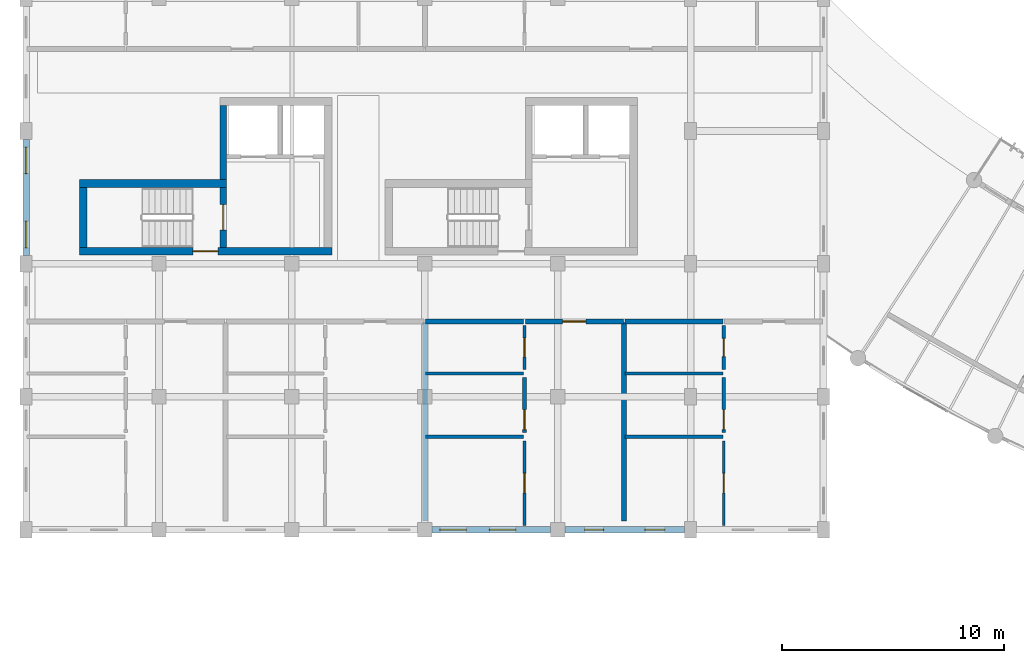
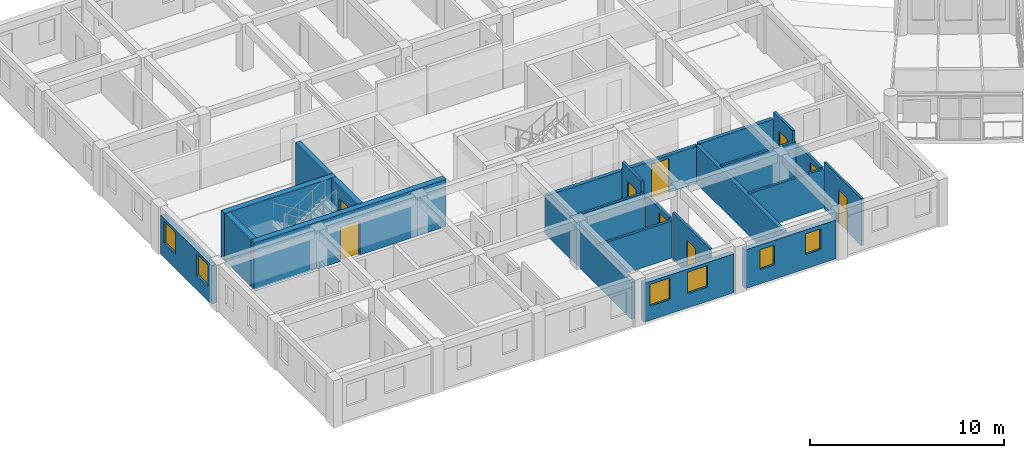
# One storey, part 75 of 123: 23 walls, 9 doors, 6 windows, 15 openings.
"""IFC4 building model written with IfcOpenShell, lengths in metres."""

from ifc_helpers import new_model, si_unit, direction, frame, frame_2d, origin, place, context, subcontext, project, spatial, rectangle, extrude, material, layer, layer_set, type_object, element, fill, save


model = new_model("IFC4")

# Units and contexts
model_context = context("Model", 3, precision=1e-05, world=origin(), true_north=direction((0.0, 1.0)))
body_context = subcontext(model_context, "Body", "Model", "MODEL_VIEW")
ifc_project = project(units=[si_unit("LENGTHUNIT", "METRE"), si_unit("AREAUNIT", "SQUARE_METRE"), si_unit("VOLUMEUNIT", "CUBIC_METRE"), si_unit("PLANEANGLEUNIT", "RADIAN"), si_unit("MASSUNIT", "GRAM", prefix="KILO"), si_unit("POWERUNIT", "WATT"), si_unit("THERMODYNAMICTEMPERATUREUNIT", "KELVIN")], contexts=[model_context])

# Site, building, storey
site_placement = place(None, origin())
site = spatial("IfcSite", under=ifc_project, at=site_placement, CompositionType="ELEMENT")
building_placement = place(site_placement, origin())
building = spatial("IfcBuilding", under=site, at=building_placement, Name="Ruvembo Vaulted Housing Court", CompositionType="ELEMENT")
storey_placement = place(building_placement, frame((0.0, 0.0, 7.699951171875)))
storey = spatial("IfcBuildingStorey", under=building, at=storey_placement, Name="L02", CompositionType="ELEMENT", Elevation=7.699951171875)

# Wall, opening, door
ifc_material_1 = material(Name="Concrete C35/45", Category="concrete")
ifc_layer_1 = layer(ifc_material_1, 0.300048828125, Name="Concrete C35/45")
ifc_layer_set_1 = layer_set([ifc_layer_1], Name="Concrete C35/45")
wall_type_1 = type_object("IfcWallType", Name="WL-CORE-300", PredefinedType="SHEAR", material=ifc_layer_set_1)
wall_1_placement = place(storey_placement, frame((8.89990234375, 18.75, 0.0), z_axis=(0.0, 0.0, 1.0), x_axis=(0.0, 1.0, 0.0)))
wall_1 = element("IfcWall", 1, at=wall_1_placement, inside=storey, type_object=wall_type_1, Name="Core A1 L02 Stair-Lobby Shear Wall", PredefinedType="SHEAR", context=body_context, shape_type="SweptSolid", body=[
    extrude(rectangle(XDim=2.699951171875, YDim=0.300048828125, at=frame_2d((1.35009765625, 0.0))), origin(), (0.0, 0.0, 1.0), 2.955078125),
])
opening_1_placement = place(wall_1_placement, frame((0.77490234375, 0.0, 0.0)))
opening_1 = element("IfcOpeningElement", 2, at=opening_1_placement, cuts=wall_1, Name="Opening SD1", PredefinedType="OPENING", context=body_context, shape_type="SweptSolid", body=[
    extrude(rectangle(XDim=1.14990234375, YDim=2.14990234375, at=frame_2d((0.574951171875, 1.074951171875))), frame((0.0, 0.159912109375, 0.0), z_axis=(0.0, -1.0, 0.0), x_axis=(1.0, 0.0, 0.0)), (0.0, 0.0, 1.0), 0.320068359375),
])
ifc_material_2 = material(Name="Galvanised Painted Steel", Category="steel")
door_type_1 = type_object("IfcDoorType", Name="DR-STAIR-1150x2150", OperationType="NOTDEFINED", PredefinedType="DOOR", material=ifc_material_2)
door_1_placement = place(opening_1_placement, origin())
door_1 = element("IfcDoor", 3, at=door_1_placement, inside=storey, type_object=door_type_1, Name="Stair ST-A1 L02 Fire Door", OperationType="SINGLE_SWING_LEFT", OverallHeight=2.14990234375, OverallWidth=1.14990234375, PredefinedType="DOOR", context=body_context, shape_type="SweptSolid", body=[
    extrude(rectangle(XDim=1.14990234375, YDim=2.14990234375, at=frame_2d((0.574951171875, 1.074951171875))), frame((0.0, 0.02490234375, 0.0), z_axis=(0.0, -1.0, 0.0), x_axis=(1.0, 0.0, 0.0)), (0.0, 0.0, 1.0), 0.050048828125),
])
fill(opening_1, door_1)

# Wall
wall_2_placement = place(storey_placement, frame((8.89990234375, 21.800048828125, 0.0), z_axis=(0.0, 0.0, 1.0), x_axis=(0.0, 1.0, 0.0)))
element("IfcWall", 4, at=wall_2_placement, inside=storey, type_object=wall_type_1, Name="Core A1 L02 Upper West Shear Wall", PredefinedType="SHEAR", context=body_context, shape_type="SweptSolid", body=[
    extrude(rectangle(XDim=3.349853515625, YDim=0.300048828125, at=frame_2d((1.6748046875, 0.0))), origin(), (0.0, 0.0, 1.0), 2.955078125),
])

# Wall, opening, door
ifc_layer_2 = layer(ifc_material_1, 0.35009765625, Name="Concrete C35/45")
ifc_layer_set_2 = layer_set([ifc_layer_2], Name="Concrete C35/45")
wall_type_2 = type_object("IfcWallType", Name="WL-CORE-350", PredefinedType="SHEAR", material=ifc_layer_set_2)
wall_3_placement = place(storey_placement, frame((2.39990234375, 18.574951171875, 0.0), z_axis=(0.0, 0.0, 1.0), x_axis=(1.0, 0.0, 0.0)))
wall_3 = element("IfcWall", 5, at=wall_3_placement, inside=storey, type_object=wall_type_2, Name="Core A1 L02 South Shear Wall", PredefinedType="SHEAR", context=body_context, shape_type="SweptSolid", body=[
    extrude(rectangle(XDim=11.400146484375, YDim=0.35009765625, at=frame_2d((5.7001953125, 0.0))), origin(), (0.0, 0.0, 1.0), 2.955078125),
])
opening_2_placement = place(wall_3_placement, frame((5.125, 0.0, 0.0)))
opening_2 = element("IfcOpeningElement", 6, at=opening_2_placement, cuts=wall_3, Name="Opening LD0", PredefinedType="OPENING", context=body_context, shape_type="SweptSolid", body=[
    extrude(rectangle(XDim=1.14990234375, YDim=2.14990234375, at=frame_2d((0.574951171875, 1.074951171875))), frame((0.0, 0.18505859375, 0.0), z_axis=(0.0, -1.0, 0.0), x_axis=(1.0, 0.0, 0.0)), (0.0, 0.0, 1.0), 0.3701171875),
])
door_type_2 = type_object("IfcDoorType", Name="DR-LOB-1150x2150", OperationType="NOTDEFINED", PredefinedType="DOOR", material=ifc_material_2)
door_2_placement = place(opening_2_placement, origin())
door_2 = element("IfcDoor", 7, at=door_2_placement, inside=storey, type_object=door_type_2, Name="Core A1 L02 Lobby Fire Door", OperationType="SINGLE_SWING_RIGHT", OverallHeight=2.14990234375, OverallWidth=1.14990234375, PredefinedType="DOOR", context=body_context, shape_type="SweptSolid", body=[
    extrude(rectangle(XDim=1.14990234375, YDim=2.14990234375, at=frame_2d((0.574951171875, 1.074951171875))), frame((0.0, 0.02490234375, 0.0), z_axis=(0.0, -1.0, 0.0), x_axis=(1.0, 0.0, 0.0)), (0.0, 0.0, 1.0), 0.050048828125),
])
fill(opening_2, door_2)

# Walls
wall_4_placement = place(storey_placement, frame((9.050048828125, 21.625, 0.0), z_axis=(0.0, 0.0, 1.0), x_axis=(-1.0, 0.0, 0.0)))
element("IfcWall", 8, at=wall_4_placement, inside=storey, type_object=wall_type_2, Name="Core A1 L02 Stair North Shear Wall", PredefinedType="SHEAR", context=body_context, shape_type="SweptSolid", body=[
    extrude(rectangle(XDim=6.650146484375, YDim=0.35009765625, at=frame_2d((3.3251953125, 0.0))), origin(), (0.0, 0.0, 1.0), 2.955078125),
])
wall_5_placement = place(storey_placement, frame((2.574951171875, 21.449951171875, 0.0), z_axis=(0.0, 0.0, 1.0), x_axis=(0.0, -1.0, 0.0)))
element("IfcWall", 9, at=wall_5_placement, inside=storey, type_object=wall_type_2, Name="Core A1 L02 Stair West Shear Wall", PredefinedType="SHEAR", context=body_context, shape_type="SweptSolid", body=[
    extrude(rectangle(XDim=2.699951171875, YDim=0.35009765625, at=frame_2d((1.35009765625, 0.0))), origin(), (0.0, 0.0, 1.0), 2.955078125),
])
ifc_material_3 = material(Name="Concrete Blockwork 210", Category="masonry")
ifc_layer_3 = layer(ifc_material_3, 0.2099609375, Name="Concrete Blockwork 210")
ifc_layer_set_3 = layer_set([ifc_layer_3], Name="Concrete Blockwork 210")
wall_type_3 = type_object("IfcWallType", Name="WL-CORR-210", PredefinedType="SOLIDWALL", material=ifc_layer_set_3)
wall_6_placement = place(storey_placement, frame((18.0400390625, 15.39990234375, 0.0), z_axis=(0.0, 0.0, 1.0), x_axis=(1.0, 0.0, 0.0)))
element("IfcWall", 10, at=wall_6_placement, inside=storey, type_object=wall_type_3, Name="L02 Flat A-L02-S3 Corridor Wall WL-INT-L02-00499", PredefinedType="SOLIDWALL", context=body_context, shape_type="SweptSolid", body=[
    extrude(rectangle(XDim=4.419921875, YDim=0.2099609375, at=frame_2d((2.2099609375, 0.0))), origin(), (0.0, 0.0, 1.0), 2.337158203125),
])

# Wall, opening, door
wall_7_placement = place(storey_placement, frame((22.5400390625, 15.39990234375, 0.0), z_axis=(0.0, 0.0, 1.0), x_axis=(1.0, 0.0, 0.0)))
wall_7 = element("IfcWall", 11, at=wall_7_placement, inside=storey, type_object=wall_type_3, Name="L02 Flat A-L02-S3 Entrance WL-INT-L02-00500", PredefinedType="SOLIDWALL", context=body_context, shape_type="SweptSolid", body=[
    extrude(rectangle(XDim=4.419921875, YDim=0.2099609375, at=frame_2d((2.2099609375, 0.0))), origin(), (0.0, 0.0, 1.0), 2.337158203125),
])
opening_3_placement = place(wall_7_placement, frame((1.68505859375, 0.0, 0.0)))
opening_3 = element("IfcOpeningElement", 12, at=opening_3_placement, cuts=wall_7, Name="Opening FD3", PredefinedType="OPENING", context=body_context, shape_type="SweptSolid", body=[
    extrude(rectangle(XDim=1.050048828125, YDim=2.14990234375, at=frame_2d((0.52490234375, 1.074951171875))), frame((0.0, 0.114990234375, 0.0), z_axis=(0.0, -1.0, 0.0), x_axis=(1.0, 0.0, 0.0)), (0.0, 0.0, 1.0), 0.22998046875),
])
ifc_material_4 = material(Name="FSC Hardwood and Engineered Timber", Category="wood")
door_type_3 = type_object("IfcDoorType", Name="DR-FLAT-1050x2150", OperationType="NOTDEFINED", PredefinedType="DOOR", material=ifc_material_4)
door_3_placement = place(opening_3_placement, origin())
door_3 = element("IfcDoor", 13, at=door_3_placement, inside=storey, type_object=door_type_3, Name="L02 Flat A-L02-S3 Entrance Door DR-INT-L02-00272", OperationType="SINGLE_SWING_RIGHT", OverallHeight=2.14990234375, OverallWidth=1.050048828125, PredefinedType="DOOR", context=body_context, shape_type="SweptSolid", body=[
    extrude(rectangle(XDim=1.050048828125, YDim=2.14990234375, at=frame_2d((0.52490234375, 1.074951171875))), frame((0.0, 0.02490234375, 0.0), z_axis=(0.0, -1.0, 0.0), x_axis=(1.0, 0.0, 0.0)), (0.0, 0.0, 1.0), 0.050048828125),
])
fill(opening_3, door_3)

# Walls
wall_8_placement = place(storey_placement, frame((27.0400390625, 15.39990234375, 0.0), z_axis=(0.0, 0.0, 1.0), x_axis=(1.0, 0.0, 0.0)))
element("IfcWall", 14, at=wall_8_placement, inside=storey, type_object=wall_type_3, Name="L02 Flat A-L02-S4 Corridor Wall WL-INT-L02-00506", PredefinedType="SOLIDWALL", context=body_context, shape_type="SweptSolid", body=[
    extrude(rectangle(XDim=4.419921875, YDim=0.2099609375, at=frame_2d((2.2099609375, 0.0))), origin(), (0.0, 0.0, 1.0), 2.43701171875),
])
ifc_material_5 = material(Name="Acoustic Masonry Demising 220", Category="masonry")
ifc_layer_4 = layer(ifc_material_5, 0.219970703125, Name="Acoustic Masonry Demising 220")
ifc_layer_set_4 = layer_set([ifc_layer_4], Name="Acoustic Masonry Demising 220")
wall_type_4 = type_object("IfcWallType", Name="WL-DEM-200", PredefinedType="SOLIDWALL", material=ifc_layer_set_4)
wall_9_placement = place(storey_placement, frame((18.0, 6.389892578125, 0.0), z_axis=(0.0, 0.0, 1.0), x_axis=(0.0, 1.0, 0.0)))
element("IfcWall", 15, at=wall_9_placement, inside=storey, type_object=wall_type_4, Name="L02 Demising A-L02-S2 WL-INT-L02-00490", PredefinedType="SOLIDWALL", context=body_context, shape_type="SweptSolid", body=[
    extrude(rectangle(XDim=8.97021484375, YDim=0.219970703125, at=frame_2d((4.485107421875, 0.0))), origin(), (0.0, 0.0, 1.0), 2.337158203125),
])
wall_10_placement = place(storey_placement, frame((27.0, 6.389892578125, 0.0), z_axis=(0.0, 0.0, 1.0), x_axis=(0.0, 1.0, 0.0)))
element("IfcWall", 16, at=wall_10_placement, inside=storey, type_object=wall_type_4, Name="L02 Demising A-L02-S3 WL-INT-L02-00498", PredefinedType="SOLIDWALL", context=body_context, shape_type="SweptSolid", body=[
    extrude(rectangle(XDim=8.97021484375, YDim=0.219970703125, at=frame_2d((4.485107421875, 0.0))), origin(), (0.0, 0.0, 1.0), 2.386962890625),
])

# Wall, openings, windows
ifc_material_6 = material(Name="Rendered Masonry 300", Category="masonry")
ifc_layer_5 = layer(ifc_material_6, 0.300048828125, Name="Rendered Masonry 300")
ifc_layer_set_5 = layer_set([ifc_layer_5], Name="Rendered Masonry 300")
wall_type_5 = type_object("IfcWallType", Name="WL-EXT-300", PredefinedType="STANDARD", material=ifc_layer_set_5)
wall_11_placement = place(storey_placement, frame((18.324951171875, 6.0, 0.0), z_axis=(0.0, 0.0, 1.0), x_axis=(1.0, 0.0, 0.0)))
wall_11 = element("IfcWall", 17, at=wall_11_placement, inside=storey, type_object=wall_type_5, Name="Block A L02 Exterior Wall STREET #4", PredefinedType="STANDARD", context=body_context, shape_type="SweptSolid", body=[
    extrude(rectangle(XDim=5.35009765625, YDim=0.300048828125, at=frame_2d((2.675048828125, 0.0))), origin(), (0.0, 0.0, 1.0), 2.43701171875),
])
opening_4_placement = place(wall_11_placement, frame((0.35009765625, 0.0, 0.89990234375)))
opening_4 = element("IfcOpeningElement", 18, at=opening_4_placement, cuts=wall_11, Name="Opening W12", PredefinedType="OPENING", context=body_context, shape_type="SweptSolid", body=[
    extrude(rectangle(XDim=1.199951171875, YDim=1.35009765625, at=frame_2d((0.60009765625, 0.675048828125))), frame((0.0, 0.159912109375, 0.0), z_axis=(0.0, -1.0, 0.0), x_axis=(1.0, 0.0, 0.0)), (0.0, 0.0, 1.0), 0.320068359375),
])
opening_5_placement = place(wall_11_placement, frame((2.5849609375, 0.0, 0.89990234375)))
opening_5 = element("IfcOpeningElement", 19, at=opening_5_placement, cuts=wall_11, Name="Opening W12", PredefinedType="OPENING", context=body_context, shape_type="SweptSolid", body=[
    extrude(rectangle(XDim=1.199951171875, YDim=1.35009765625, at=frame_2d((0.60009765625, 0.675048828125))), frame((0.0, 0.159912109375, 0.0), z_axis=(0.0, -1.0, 0.0), x_axis=(1.0, 0.0, 0.0)), (0.0, 0.0, 1.0), 0.320068359375),
])
ifc_material_7 = material(Name="Double Solar-Control Glazing in Aluminium Frame", Category="aluminium")
window_type_1 = type_object("IfcWindowType", Name="WIN-1200x1350", PartitioningType="SINGLE_PANEL", PredefinedType="WINDOW", material=ifc_material_7)
window_1_placement = place(opening_4_placement, origin())
window_1 = element("IfcWindow", 20, at=window_1_placement, inside=storey, type_object=window_type_1, Name="Block A L02 Window #89", OverallHeight=1.35009765625, OverallWidth=1.199951171875, PartitioningType="SINGLE_PANEL", PredefinedType="WINDOW", context=body_context, shape_type="SweptSolid", body=[
    extrude(rectangle(XDim=1.199951171875, YDim=1.35009765625, at=frame_2d((0.60009765625, 0.675048828125))), frame((0.0, 0.030029296875, 0.0), z_axis=(0.0, -1.0, 0.0), x_axis=(1.0, 0.0, 0.0)), (0.0, 0.0, 1.0), 0.06005859375),
])
fill(opening_4, window_1)
window_2_placement = place(opening_5_placement, origin())
window_2 = element("IfcWindow", 21, at=window_2_placement, inside=storey, type_object=window_type_1, Name="Block A L02 Window #90", OverallHeight=1.35009765625, OverallWidth=1.199951171875, PartitioningType="SINGLE_PANEL", PredefinedType="WINDOW", context=body_context, shape_type="SweptSolid", body=[
    extrude(rectangle(XDim=1.199951171875, YDim=1.35009765625, at=frame_2d((0.60009765625, 0.675048828125))), frame((0.0, 0.030029296875, 0.0), z_axis=(0.0, -1.0, 0.0), x_axis=(1.0, 0.0, 0.0)), (0.0, 0.0, 1.0), 0.06005859375),
])
fill(opening_5, window_2)

wall_12_placement = place(storey_placement, frame((24.324951171875, 6.0, 0.0), z_axis=(0.0, 0.0, 1.0), x_axis=(1.0, 0.0, 0.0)))
wall_12 = element("IfcWall", 22, at=wall_12_placement, inside=storey, type_object=wall_type_5, Name="Block A L02 Exterior Wall STREET #5", PredefinedType="STANDARD", context=body_context, shape_type="SweptSolid", body=[
    extrude(rectangle(XDim=5.400146484375, YDim=0.300048828125, at=frame_2d((2.7001953125, 0.0))), origin(), (0.0, 0.0, 1.0), 2.43701171875),
])
opening_6_placement = place(wall_12_placement, frame((0.892578125, 0.0, 0.89990234375)))
opening_6 = element("IfcOpeningElement", 23, at=opening_6_placement, cuts=wall_12, Name="Opening W03", PredefinedType="OPENING", context=body_context, shape_type="SweptSolid", body=[
    extrude(rectangle(XDim=0.85009765625, YDim=1.25, at=frame_2d((0.425048828125, 0.625))), frame((0.0, 0.159912109375, 0.0), z_axis=(0.0, -1.0, 0.0), x_axis=(1.0, 0.0, 0.0)), (0.0, 0.0, 1.0), 0.320068359375),
])
opening_7_placement = place(wall_12_placement, frame((3.607421875, 0.0, 0.89990234375)))
opening_7 = element("IfcOpeningElement", 24, at=opening_7_placement, cuts=wall_12, Name="Opening W04", PredefinedType="OPENING", context=body_context, shape_type="SweptSolid", body=[
    extrude(rectangle(XDim=0.89990234375, YDim=1.300048828125, at=frame_2d((0.449951171875, 0.64990234375))), frame((0.0, 0.159912109375, 0.0), z_axis=(0.0, -1.0, 0.0), x_axis=(1.0, 0.0, 0.0)), (0.0, 0.0, 1.0), 0.320068359375),
])
window_type_2 = type_object("IfcWindowType", Name="WIN-0850x1250", PartitioningType="SINGLE_PANEL", PredefinedType="WINDOW", material=ifc_material_7)
window_3_placement = place(opening_6_placement, origin())
window_3 = element("IfcWindow", 25, at=window_3_placement, inside=storey, type_object=window_type_2, Name="Block A L02 Window #91", OverallHeight=1.25, OverallWidth=0.85009765625, PartitioningType="SINGLE_PANEL", PredefinedType="WINDOW", context=body_context, shape_type="SweptSolid", body=[
    extrude(rectangle(XDim=0.85009765625, YDim=1.25, at=frame_2d((0.425048828125, 0.625))), frame((0.0, 0.030029296875, 0.0), z_axis=(0.0, -1.0, 0.0), x_axis=(1.0, 0.0, 0.0)), (0.0, 0.0, 1.0), 0.06005859375),
])
fill(opening_6, window_3)
window_type_3 = type_object("IfcWindowType", Name="WIN-0900x1300", PartitioningType="SINGLE_PANEL", PredefinedType="WINDOW", material=ifc_material_7)
window_4_placement = place(opening_7_placement, origin())
window_4 = element("IfcWindow", 26, at=window_4_placement, inside=storey, type_object=window_type_3, Name="Block A L02 Window #92", OverallHeight=1.300048828125, OverallWidth=0.89990234375, PartitioningType="SINGLE_PANEL", PredefinedType="WINDOW", context=body_context, shape_type="SweptSolid", body=[
    extrude(rectangle(XDim=0.89990234375, YDim=1.300048828125, at=frame_2d((0.449951171875, 0.64990234375))), frame((0.0, 0.030029296875, 0.0), z_axis=(0.0, -1.0, 0.0), x_axis=(1.0, 0.0, 0.0)), (0.0, 0.0, 1.0), 0.06005859375),
])
fill(opening_7, window_4)

wall_13_placement = place(storey_placement, frame((0.0, 23.625, 0.0), z_axis=(0.0, 0.0, 1.0), x_axis=(0.0, -1.0, 0.0)))
wall_13 = element("IfcWall", 27, at=wall_13_placement, inside=storey, type_object=wall_type_5, Name="Block A L02 Exterior Wall WEST #4", PredefinedType="STANDARD", context=body_context, shape_type="SweptSolid", body=[
    extrude(rectangle(XDim=5.25, YDim=0.300048828125, at=frame_2d((2.625, 0.0))), origin(), (0.0, 0.0, 1.0), 2.43701171875),
])
opening_8_placement = place(wall_13_placement, frame((0.35009765625, 0.0, 0.89990234375)))
opening_8 = element("IfcOpeningElement", 28, at=opening_8_placement, cuts=wall_13, Name="Opening W12", PredefinedType="OPENING", context=body_context, shape_type="SweptSolid", body=[
    extrude(rectangle(XDim=1.199951171875, YDim=1.35009765625, at=frame_2d((0.60009765625, 0.675048828125))), frame((0.0, 0.159912109375, 0.0), z_axis=(0.0, -1.0, 0.0), x_axis=(1.0, 0.0, 0.0)), (0.0, 0.0, 1.0), 0.320068359375),
])
opening_9_placement = place(wall_13_placement, frame((3.699951171875, 0.0, 0.89990234375)))
opening_9 = element("IfcOpeningElement", 29, at=opening_9_placement, cuts=wall_13, Name="Opening W12", PredefinedType="OPENING", context=body_context, shape_type="SweptSolid", body=[
    extrude(rectangle(XDim=1.199951171875, YDim=1.35009765625, at=frame_2d((0.60009765625, 0.675048828125))), frame((0.0, 0.159912109375, 0.0), z_axis=(0.0, -1.0, 0.0), x_axis=(1.0, 0.0, 0.0)), (0.0, 0.0, 1.0), 0.320068359375),
])
window_5_placement = place(opening_8_placement, origin())
window_5 = element("IfcWindow", 30, at=window_5_placement, inside=storey, type_object=window_type_1, Name="Block A L02 Window #119", OverallHeight=1.35009765625, OverallWidth=1.199951171875, PartitioningType="SINGLE_PANEL", PredefinedType="WINDOW", context=body_context, shape_type="SweptSolid", body=[
    extrude(rectangle(XDim=1.199951171875, YDim=1.35009765625, at=frame_2d((0.60009765625, 0.675048828125))), frame((0.0, 0.030029296875, 0.0), z_axis=(0.0, -1.0, 0.0), x_axis=(1.0, 0.0, 0.0)), (0.0, 0.0, 1.0), 0.06005859375),
])
fill(opening_8, window_5)
window_6_placement = place(opening_9_placement, origin())
window_6 = element("IfcWindow", 31, at=window_6_placement, inside=storey, type_object=window_type_1, Name="Block A L02 Window #120", OverallHeight=1.35009765625, OverallWidth=1.199951171875, PartitioningType="SINGLE_PANEL", PredefinedType="WINDOW", context=body_context, shape_type="SweptSolid", body=[
    extrude(rectangle(XDim=1.199951171875, YDim=1.35009765625, at=frame_2d((0.60009765625, 0.675048828125))), frame((0.0, 0.030029296875, 0.0), z_axis=(0.0, -1.0, 0.0), x_axis=(1.0, 0.0, 0.0)), (0.0, 0.0, 1.0), 0.06005859375),
])
fill(opening_9, window_6)

# Wall, opening, door
ifc_material_8 = material(Name="Plasterboard Stud Partition 125", Category="gypsum")
ifc_layer_6 = layer(ifc_material_8, 0.125, Name="Plasterboard Stud Partition 125")
ifc_layer_set_6 = layer_set([ifc_layer_6], Name="Plasterboard Stud Partition 125")
wall_type_6 = type_object("IfcWallType", Name="WL-PART-125", PredefinedType="PARTITIONING", material=ifc_layer_set_6)
wall_14_placement = place(storey_placement, frame((31.5, 6.18994140625, 0.0), z_axis=(0.0, 0.0, 1.0), x_axis=(0.0, 1.0, 0.0)))
wall_14 = element("IfcWall", 32, at=wall_14_placement, inside=storey, type_object=wall_type_6, Name="L02 Flat A-L02-S4 Bedroom 1 WL-INT-L02-00508", PredefinedType="PARTITIONING", context=body_context, shape_type="SweptSolid", body=[
    extrude(rectangle(XDim=3.820068359375, YDim=0.125, at=frame_2d((1.91015625, 0.0))), origin(), (0.0, 0.0, 1.0), 2.955078125),
])
opening_10_placement = place(wall_14_placement, frame((1.469970703125, 0.0, 0.0)))
opening_10 = element("IfcOpeningElement", 33, at=opening_10_placement, cuts=wall_14, Name="Opening ID3", PredefinedType="OPENING", context=body_context, shape_type="SweptSolid", body=[
    extrude(rectangle(XDim=0.8798828125, YDim=2.10009765625, at=frame_2d((0.43994140625, 1.050048828125))), frame((0.0, 0.072509765625, 0.0), z_axis=(0.0, -1.0, 0.0), x_axis=(1.0, 0.0, 0.0)), (0.0, 0.0, 1.0), 0.14501953125),
])
door_type_4 = type_object("IfcDoorType", Name="DR-ROOM-0880x2100", OperationType="NOTDEFINED", PredefinedType="DOOR", material=ifc_material_4)
door_4_placement = place(opening_10_placement, origin())
door_4 = element("IfcDoor", 34, at=door_4_placement, inside=storey, type_object=door_type_4, Name="L02 Flat A-L02-S4 Bedroom 1 Door DR-INT-L02-00277", OperationType="SINGLE_SWING_LEFT", OverallHeight=2.10009765625, OverallWidth=0.8798828125, PredefinedType="DOOR", context=body_context, shape_type="SweptSolid", body=[
    extrude(rectangle(XDim=0.8798828125, YDim=2.10009765625, at=frame_2d((0.43994140625, 1.050048828125))), frame((0.0, 0.02490234375, 0.0), z_axis=(0.0, -1.0, 0.0), x_axis=(1.0, 0.0, 0.0)), (0.0, 0.0, 1.0), 0.050048828125),
])
fill(opening_10, door_4)

ifc_material_9 = material(Name="Acoustic Stud Partition 135", Category="gypsum")
ifc_layer_7 = layer(ifc_material_9, 0.135009765625, Name="Acoustic Stud Partition 135")
ifc_layer_set_7 = layer_set([ifc_layer_7], Name="Acoustic Stud Partition 135")
wall_type_7 = type_object("IfcWallType", Name="WL-PART-135", PredefinedType="PARTITIONING", material=ifc_layer_set_7)
wall_15_placement = place(storey_placement, frame((22.5, 6.18994140625, 0.0), z_axis=(0.0, 0.0, 1.0), x_axis=(0.0, 1.0, 0.0)))
wall_15 = element("IfcWall", 35, at=wall_15_placement, inside=storey, type_object=wall_type_7, Name="L02 Flat A-L02-S3 Bedroom 1 WL-INT-L02-00501", PredefinedType="PARTITIONING", context=body_context, shape_type="SweptSolid", body=[
    extrude(rectangle(XDim=3.820068359375, YDim=0.135009765625, at=frame_2d((1.91015625, 0.0))), origin(), (0.0, 0.0, 1.0), 2.955078125),
])
opening_11_placement = place(wall_15_placement, frame((1.469970703125, 0.0, 0.0)))
opening_11 = element("IfcOpeningElement", 36, at=opening_11_placement, cuts=wall_15, Name="Opening ID3", PredefinedType="OPENING", context=body_context, shape_type="SweptSolid", body=[
    extrude(rectangle(XDim=0.8798828125, YDim=2.10009765625, at=frame_2d((0.43994140625, 1.050048828125))), frame((0.0, 0.077392578125, 0.0), z_axis=(0.0, -1.0, 0.0), x_axis=(1.0, 0.0, 0.0)), (0.0, 0.0, 1.0), 0.155029296875),
])
door_5_placement = place(opening_11_placement, origin())
door_5 = element("IfcDoor", 37, at=door_5_placement, inside=storey, type_object=door_type_4, Name="L02 Flat A-L02-S3 Bedroom 1 Door DR-INT-L02-00273", OperationType="SINGLE_SWING_LEFT", OverallHeight=2.10009765625, OverallWidth=0.8798828125, PredefinedType="DOOR", context=body_context, shape_type="SweptSolid", body=[
    extrude(rectangle(XDim=0.8798828125, YDim=2.10009765625, at=frame_2d((0.43994140625, 1.050048828125))), frame((0.0, 0.02490234375, 0.0), z_axis=(0.0, -1.0, 0.0), x_axis=(1.0, 0.0, 0.0)), (0.0, 0.0, 1.0), 0.050048828125),
])
fill(opening_11, door_5)

ifc_material_10 = material(Name="Moisture-Resistant Wet Partition 150", Category="gypsum")
ifc_layer_8 = layer(ifc_material_10, 0.14990234375, Name="Moisture-Resistant Wet Partition 150")
ifc_layer_set_8 = layer_set([ifc_layer_8], Name="Moisture-Resistant Wet Partition 150")
wall_type_8 = type_object("IfcWallType", Name="WL-PART-150", PredefinedType="PARTITIONING", material=ifc_layer_set_8)
wall_16_placement = place(storey_placement, frame((22.5, 13.239990234375, 0.0), z_axis=(0.0, 0.0, 1.0), x_axis=(0.0, 1.0, 0.0)))
wall_16 = element("IfcWall", 38, at=wall_16_placement, inside=storey, type_object=wall_type_8, Name="L02 Flat A-L02-S3 Bathroom WL-INT-L02-00503", PredefinedType="PARTITIONING", context=body_context, shape_type="SweptSolid", body=[
    extrude(rectangle(XDim=1.969970703125, YDim=0.14990234375, at=frame_2d((0.98486328125, 0.0))), origin(), (0.0, 0.0, 1.0), 2.955078125),
])
opening_12_placement = place(wall_16_placement, frame((0.56005859375, 0.0, 0.0)))
opening_12 = element("IfcOpeningElement", 39, at=opening_12_placement, cuts=wall_16, Name="Opening ID2", PredefinedType="OPENING", context=body_context, shape_type="SweptSolid", body=[
    extrude(rectangle(XDim=0.85009765625, YDim=2.10009765625, at=frame_2d((0.425048828125, 1.050048828125))), frame((0.0, 0.0849609375, 0.0), z_axis=(0.0, -1.0, 0.0), x_axis=(1.0, 0.0, 0.0)), (0.0, 0.0, 1.0), 0.169921875),
])
door_type_5 = type_object("IfcDoorType", Name="DR-WET-0850x2100", OperationType="NOTDEFINED", PredefinedType="DOOR", material=ifc_material_4)
door_6_placement = place(opening_12_placement, origin())
door_6 = element("IfcDoor", 40, at=door_6_placement, inside=storey, type_object=door_type_5, Name="L02 Flat A-L02-S3 Bathroom Door DR-INT-L02-00275", OperationType="SINGLE_SWING_LEFT", OverallHeight=2.10009765625, OverallWidth=0.85009765625, PredefinedType="DOOR", context=body_context, shape_type="SweptSolid", body=[
    extrude(rectangle(XDim=0.85009765625, YDim=2.10009765625, at=frame_2d((0.425048828125, 1.050048828125))), frame((0.0, 0.02490234375, 0.0), z_axis=(0.0, -1.0, 0.0), x_axis=(1.0, 0.0, 0.0)), (0.0, 0.0, 1.0), 0.050048828125),
])
fill(opening_12, door_6)

# Walls
for number, where, z_axis, x_axis, name in (
    (41, (18.0400390625, 10.199951171875, 0.0), (0.0, 0.0, 1.0), (1.0, 0.0, 0.0), "L02 Flat A-L02-S3 Wet Wall 1 WL-INT-L02-00504"),
    (42, (18.0400390625, 13.050048828125, 0.0), (0.0, 0.0, 1.0), (1.0, 0.0, 0.0), "L02 Flat A-L02-S3 Wet Wall 2 WL-INT-L02-00505"),
):
    element("IfcWall", number, at=place(storey_placement, frame(where, z_axis=z_axis, x_axis=x_axis)), inside=storey, type_object=wall_type_8, Name=name, PredefinedType="PARTITIONING", context=body_context, shape_type="SweptSolid", body=[
        extrude(rectangle(XDim=4.419921875, YDim=0.14990234375, at=frame_2d((2.2099609375, 0.0))), origin(), (0.0, 0.0, 1.0), 2.337158203125),
    ])

# Wall, opening, door
wall_17_placement = place(storey_placement, frame((31.5, 13.239990234375, 0.0), z_axis=(0.0, 0.0, 1.0), x_axis=(0.0, 1.0, 0.0)))
wall_17 = element("IfcWall", 43, at=wall_17_placement, inside=storey, type_object=wall_type_8, Name="L02 Flat A-L02-S4 Bathroom WL-INT-L02-00510", PredefinedType="PARTITIONING", context=body_context, shape_type="SweptSolid", body=[
    extrude(rectangle(XDim=1.969970703125, YDim=0.14990234375, at=frame_2d((0.98486328125, 0.0))), origin(), (0.0, 0.0, 1.0), 2.955078125),
])
opening_13_placement = place(wall_17_placement, frame((0.574951171875, 0.0, 0.0)))
opening_13 = element("IfcOpeningElement", 44, at=opening_13_placement, cuts=wall_17, Name="Opening ID4", PredefinedType="OPENING", context=body_context, shape_type="SweptSolid", body=[
    extrude(rectangle(XDim=0.820068359375, YDim=2.080078125, at=frame_2d((0.41015625, 1.0400390625))), frame((0.0, 0.0849609375, 0.0), z_axis=(0.0, -1.0, 0.0), x_axis=(1.0, 0.0, 0.0)), (0.0, 0.0, 1.0), 0.169921875),
])
door_type_6 = type_object("IfcDoorType", Name="DR-WET-0820x2080", OperationType="NOTDEFINED", PredefinedType="DOOR", material=ifc_material_4)
door_7_placement = place(opening_13_placement, origin())
door_7 = element("IfcDoor", 45, at=door_7_placement, inside=storey, type_object=door_type_6, Name="L02 Flat A-L02-S4 Bathroom Door DR-INT-L02-00279", OperationType="SINGLE_SWING_LEFT", OverallHeight=2.080078125, OverallWidth=0.820068359375, PredefinedType="DOOR", context=body_context, shape_type="SweptSolid", body=[
    extrude(rectangle(XDim=0.820068359375, YDim=2.080078125, at=frame_2d((0.41015625, 1.0400390625))), frame((0.0, 0.02490234375, 0.0), z_axis=(0.0, -1.0, 0.0), x_axis=(1.0, 0.0, 0.0)), (0.0, 0.0, 1.0), 0.050048828125),
])
fill(opening_13, door_7)

# Walls
for number, where, z_axis, x_axis, name in (
    (46, (27.0400390625, 10.199951171875, 0.0), (0.0, 0.0, 1.0), (1.0, 0.0, 0.0), "L02 Flat A-L02-S4 Wet Wall 1 WL-INT-L02-00511"),
    (47, (27.0400390625, 13.050048828125, 0.0), (0.0, 0.0, 1.0), (1.0, 0.0, 0.0), "L02 Flat A-L02-S4 Wet Wall 2 WL-INT-L02-00512"),
):
    element("IfcWall", number, at=place(storey_placement, frame(where, z_axis=z_axis, x_axis=x_axis)), inside=storey, type_object=wall_type_8, Name=name, PredefinedType="PARTITIONING", context=body_context, shape_type="SweptSolid", body=[
        extrude(rectangle(XDim=4.419921875, YDim=0.14990234375, at=frame_2d((2.2099609375, 0.0))), origin(), (0.0, 0.0, 1.0), 2.43701171875),
    ])

# Wall, opening, door
ifc_material_11 = material(Name="Acoustic Service Chase Wall 160", Category="gypsum")
ifc_layer_9 = layer(ifc_material_11, 0.159912109375, Name="Acoustic Service Chase Wall 160")
ifc_layer_set_9 = layer_set([ifc_layer_9], Name="Acoustic Service Chase Wall 160")
wall_type_9 = type_object("IfcWallType", Name="WL-PLUMB-160", PredefinedType="PLUMBINGWALL", material=ifc_layer_set_9)
wall_18_placement = place(storey_placement, frame((22.5, 10.389892578125, 0.0), z_axis=(0.0, 0.0, 1.0), x_axis=(0.0, 1.0, 0.0)))
wall_18 = element("IfcWall", 48, at=wall_18_placement, inside=storey, type_object=wall_type_9, Name="L02 Flat A-L02-S3 Kitchen WL-INT-L02-00502", PredefinedType="PLUMBINGWALL", context=body_context, shape_type="SweptSolid", body=[
    extrude(rectangle(XDim=2.47021484375, YDim=0.159912109375, at=frame_2d((1.235107421875, 0.0))), origin(), (0.0, 0.0, 1.0), 2.386962890625),
])
opening_14_placement = place(wall_18_placement, frame((0.1298828125, 0.0, 0.0)))
opening_14 = element("IfcOpeningElement", 49, at=opening_14_placement, cuts=wall_18, Name="Opening ID1", PredefinedType="OPENING", context=body_context, shape_type="SweptSolid", body=[
    extrude(rectangle(XDim=0.89990234375, YDim=2.10009765625, at=frame_2d((0.449951171875, 1.050048828125))), frame((0.0, 0.08984375, 0.0), z_axis=(0.0, -1.0, 0.0), x_axis=(1.0, 0.0, 0.0)), (0.0, 0.0, 1.0), 0.179931640625),
])
door_type_7 = type_object("IfcDoorType", Name="DR-ROOM-0900x2100", OperationType="NOTDEFINED", PredefinedType="DOOR", material=ifc_material_4)
door_8_placement = place(opening_14_placement, origin())
door_8 = element("IfcDoor", 50, at=door_8_placement, inside=storey, type_object=door_type_7, Name="L02 Flat A-L02-S3 Kitchen Door DR-INT-L02-00274", OperationType="SINGLE_SWING_RIGHT", OverallHeight=2.10009765625, OverallWidth=0.89990234375, PredefinedType="DOOR", context=body_context, shape_type="SweptSolid", body=[
    extrude(rectangle(XDim=0.89990234375, YDim=2.10009765625, at=frame_2d((0.449951171875, 1.050048828125))), frame((0.0, 0.02490234375, 0.0), z_axis=(0.0, -1.0, 0.0), x_axis=(1.0, 0.0, 0.0)), (0.0, 0.0, 1.0), 0.050048828125),
])
fill(opening_14, door_8)

wall_19_placement = place(storey_placement, frame((31.5, 10.389892578125, 0.0), z_axis=(0.0, 0.0, 1.0), x_axis=(0.0, 1.0, 0.0)))
wall_19 = element("IfcWall", 51, at=wall_19_placement, inside=storey, type_object=wall_type_9, Name="L02 Flat A-L02-S4 Kitchen WL-INT-L02-00509", PredefinedType="PLUMBINGWALL", context=body_context, shape_type="SweptSolid", body=[
    extrude(rectangle(XDim=2.47021484375, YDim=0.159912109375, at=frame_2d((1.235107421875, 0.0))), origin(), (0.0, 0.0, 1.0), 2.386962890625),
])
opening_15_placement = place(wall_19_placement, frame((0.1298828125, 0.0, 0.0)))
opening_15 = element("IfcOpeningElement", 52, at=opening_15_placement, cuts=wall_19, Name="Opening ID1", PredefinedType="OPENING", context=body_context, shape_type="SweptSolid", body=[
    extrude(rectangle(XDim=0.89990234375, YDim=2.10009765625, at=frame_2d((0.449951171875, 1.050048828125))), frame((0.0, 0.08984375, 0.0), z_axis=(0.0, -1.0, 0.0), x_axis=(1.0, 0.0, 0.0)), (0.0, 0.0, 1.0), 0.179931640625),
])
door_9_placement = place(opening_15_placement, origin())
door_9 = element("IfcDoor", 53, at=door_9_placement, inside=storey, type_object=door_type_7, Name="L02 Flat A-L02-S4 Kitchen Door DR-INT-L02-00278", OperationType="SINGLE_SWING_RIGHT", OverallHeight=2.10009765625, OverallWidth=0.89990234375, PredefinedType="DOOR", context=body_context, shape_type="SweptSolid", body=[
    extrude(rectangle(XDim=0.89990234375, YDim=2.10009765625, at=frame_2d((0.449951171875, 1.050048828125))), frame((0.0, 0.02490234375, 0.0), z_axis=(0.0, -1.0, 0.0), x_axis=(1.0, 0.0, 0.0)), (0.0, 0.0, 1.0), 0.050048828125),
])
fill(opening_15, door_9)

save(model, "model.ifc")
